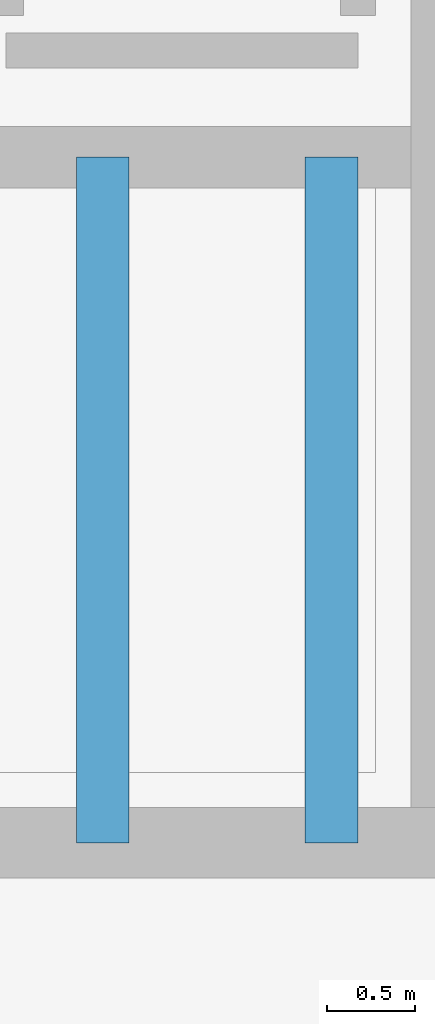
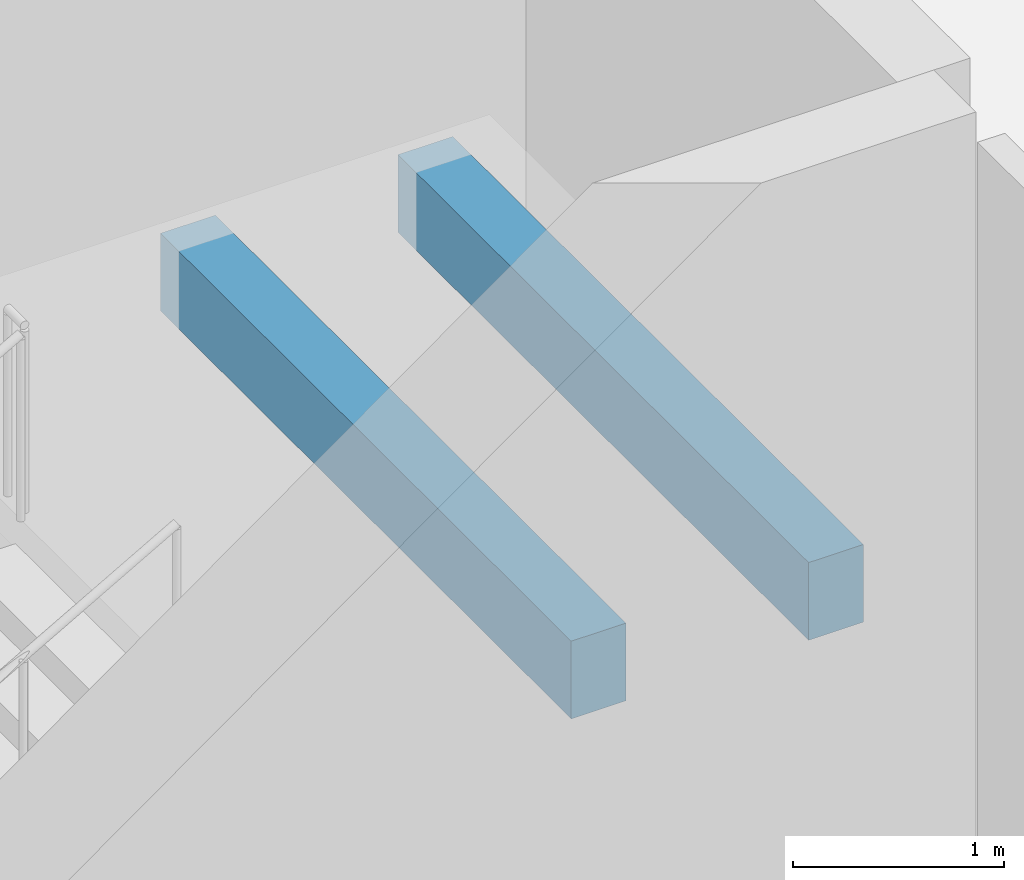
# One storey, part 34 of 94: 2 beams.
"""IFC4 building model written with IfcOpenShell, lengths in metres."""

import ifcopenshell
import ifcopenshell.guid

model = None  # the IFC model being written
_history = None  # IfcOwnerHistory: only IFC2X3 demands one
_inside = {}  # id of a spatial element -> (the spatial element, [elements in it])
_under = {}  # id of a project, library or spatial element -> (it, [spatial elements below it])
_declared = {}  # id of a project -> (the project, [libraries it declares])
_typed = {}  # id of a type object -> (the type object, [elements of that type])
_made_of = {}  # id of a material, layer set ... -> (it, [elements and type objects made of it])


def new_model(schema):
    """Start an empty IFC model of exactly this schema.

    Asked for "IFC4X3", IfcOpenShell would pick the latest addendum, in which some entities
    have other attributes; the version numbers below select the first issue.
    IFC2X3 requires an IfcOwnerHistory on every rooted entity: one is made here for all.
    """
    global model, _history
    if schema == "IFC4X3":
        model = ifcopenshell.file(schema_version=(4, 3, 0, 0))
    else:
        model = ifcopenshell.file(schema=schema)
    _inside.clear()
    _under.clear()
    _declared.clear()
    _typed.clear()
    _made_of.clear()
    _history = None
    if model.schema == "IFC2X3":
        org = make("IfcOrganization", Name="unknown")
        user = make(
            "IfcPersonAndOrganization",
            ThePerson=make("IfcPerson", FamilyName="unknown"),
            TheOrganization=org,
        )
        app = make(
            "IfcApplication",
            ApplicationDeveloper=org,
            Version="unknown",
            ApplicationFullName="unknown",
            ApplicationIdentifier="unknown",
        )
        _history = make(
            "IfcOwnerHistory",
            OwningUser=user,
            OwningApplication=app,
            ChangeAction="ADDED",
            CreationDate=0,
        )
    return model


def make(cls, **values):
    """One entity of the class cls with the attributes given. An attribute that is None is left unset."""
    return model.create_entity(
        cls, **{name: value for name, value in values.items() if value is not None}
    )


def rooted(cls, **values):
    """An entity with a GlobalId (a new one), such as an element, a storey or a relation."""
    return make(cls, GlobalId=ifcopenshell.guid.new(), OwnerHistory=_history, **values)


def si_unit(unit_type, name, prefix=None):
    """IfcSIUnit, for example si_unit("LENGTHUNIT", "METRE", prefix="MILLI")."""
    return make("IfcSIUnit", UnitType=unit_type, Prefix=prefix, Name=name)


def assignment(units):
    """IfcUnitAssignment: the units of a project."""
    return None if units is None else make("IfcUnitAssignment", Units=units)


def point(xyz):
    """IfcCartesianPoint."""
    return None if xyz is None else make("IfcCartesianPoint", Coordinates=xyz)


def direction(xyz):
    """IfcDirection."""
    return None if xyz is None else make("IfcDirection", DirectionRatios=xyz)


def frame(location, z_axis=None, x_axis=None):
    """IfcAxis2Placement3D, a coordinate frame: its origin and axes. An axis left out is left unset."""
    return make(
        "IfcAxis2Placement3D",
        Location=point(location),
        Axis=direction(z_axis),
        RefDirection=direction(x_axis),
    )


def frame_2d(location, x_axis=None):
    """IfcAxis2Placement2D, a coordinate frame in the plane: its origin and x axis."""
    return make(
        "IfcAxis2Placement2D", Location=point(location), RefDirection=direction(x_axis)
    )


def origin():
    """The frame at (0, 0, 0) with its axes left unset."""
    return frame((0.0, 0.0, 0.0))


def origin_2d():
    """The frame at (0, 0) in the plane with its x axis left unset."""
    return frame_2d((0.0, 0.0))


def place(relative_to, where):
    """IfcLocalPlacement: puts the frame where relative to a parent placement (None: the world)."""
    return make(
        "IfcLocalPlacement", PlacementRelTo=relative_to, RelativePlacement=where
    )


def context(
    kind, dimensions, precision=None, world=None, true_north=None, identifier=None
):
    """IfcGeometricRepresentationContext, for example the 3D "Model" context."""
    return make(
        "IfcGeometricRepresentationContext",
        ContextIdentifier=identifier,
        ContextType=kind,
        CoordinateSpaceDimension=dimensions,
        Precision=precision,
        WorldCoordinateSystem=world,
        TrueNorth=true_north,
    )


def subcontext(parent, identifier, kind, view, scale=None):
    """IfcGeometricRepresentationSubContext, for example "Body" below "Model"."""
    return make(
        "IfcGeometricRepresentationSubContext",
        ContextIdentifier=identifier,
        ContextType=kind,
        ParentContext=parent,
        TargetScale=scale,
        TargetView=view,
    )


def project(units=None, contexts=None):
    """IfcProject with its units and contexts."""
    return rooted(
        "IfcProject",
        Name="project",
        RepresentationContexts=contexts,
        UnitsInContext=assignment(units),
    )


def spatial(cls, under=None, at=None, **own):
    """A site, building, storey or space (cls), placed at a placement, below another one or the project."""
    s = rooted(cls, ObjectPlacement=at, **own)
    if under is not None:
        _under.setdefault(under.id(), (under, []))[1].append(s)
    return s


def profile(cls, at=None, kind="AREA", **sizes):
    """A parametric profile (cls). Its sizes go by their IFC names, for example OverallWidth=200.0."""
    return make(cls, ProfileType=kind, Position=at, **sizes)


def rectangle(**sizes):
    """IfcRectangleProfileDef."""
    return profile("IfcRectangleProfileDef", **sizes)


def extrude(swept, where, along, depth):
    """IfcExtrudedAreaSolid: the profile swept, set in the frame where, extruded along a direction by depth."""
    return make(
        "IfcExtrudedAreaSolid",
        SweptArea=swept,
        Position=where,
        ExtrudedDirection=direction(along),
        Depth=depth,
    )


def shape(context_of_items, identifier, shape_type, items):
    """IfcShapeRepresentation: the items that make up one representation, for example the "Body"."""
    return make(
        "IfcShapeRepresentation",
        ContextOfItems=context_of_items,
        RepresentationIdentifier=identifier,
        RepresentationType=shape_type,
        Items=items,
    )


def material(Name=None, Category=None):
    """IfcMaterial."""
    return make("IfcMaterial", Name=Name, Category=Category)


def material_profile(
    of_material, cross_section, Name=None, Category=None, Priority=None
):
    """IfcMaterialProfile: a cross section and its material."""
    return make(
        "IfcMaterialProfile",
        Name=Name,
        Material=of_material,
        Profile=cross_section,
        Priority=Priority,
        Category=Category,
    )


def profile_set(profiles, Name=None, composite=None):
    """IfcMaterialProfileSet."""
    return make(
        "IfcMaterialProfileSet",
        Name=Name,
        MaterialProfiles=profiles,
        CompositeProfile=composite,
    )


def made_of(thing, what):
    """Note that an element or type object is made of a material, layer set ...; save() writes the relation."""
    if what is not None:
        _made_of.setdefault(what.id(), (what, []))[1].append(thing)
    return thing


def type_object(cls, material=None, **own):
    """A type object (cls), such as IfcWallType, which elements share."""
    return made_of(rooted(cls, **own), material)


def element(
    cls,
    number,
    at=None,
    inside=None,
    cuts=None,
    type_object=None,
    material=None,
    context=None,
    identifier="Body",
    shape_type=None,
    held_by="IfcProductDefinitionShape",
    body=None,
    shapes=None,
    **own,
):
    """One element of the class cls, such as IfcWall. Its Tag is "e" and its number.

    at: its placement. inside: the storey or other place that contains it. cuts: it is an
    opening in that element (IfcRelVoidsElement). A single representation is given by context,
    identifier, shape_type and body (its items); several are given by shapes. held_by: the class
    of the entity that holds the representations. save() writes the other relations.
    """
    e = rooted(cls, Tag="e%d" % number, ObjectPlacement=at, **own)
    if body is not None:
        shapes = [shape(context, identifier, shape_type, body)]
    if shapes is not None:
        e.Representation = make(held_by, Representations=shapes)
    if inside is not None:
        _inside.setdefault(inside.id(), (inside, []))[1].append(e)
    if cuts is not None:
        rooted(
            "IfcRelVoidsElement", RelatingBuildingElement=cuts, RelatedOpeningElement=e
        )
    if type_object is not None:
        _typed.setdefault(type_object.id(), (type_object, []))[1].append(e)
    return made_of(e, material)


def aggregate(whole, parts):
    """IfcRelAggregates: a whole, such as a stair, and the parts it consists of."""
    return rooted("IfcRelAggregates", RelatingObject=whole, RelatedObjects=parts)


def save(model, path):
    """Write the relations noted so far, then the file.

    IfcRelAggregates (storeys below a building ...), IfcRelContainedInSpatialStructure (elements
    in a storey), IfcRelDefinesByType, IfcRelAssociatesMaterial and IfcRelDeclares: one each for
    every whole, place, type object, material and project.
    """
    for whole, parts in _under.values():
        aggregate(whole, parts)
    for where, things in _inside.values():
        rooted(
            "IfcRelContainedInSpatialStructure",
            RelatedElements=things,
            RelatingStructure=where,
        )
    for kind, things in _typed.values():
        rooted("IfcRelDefinesByType", RelatedObjects=things, RelatingType=kind)
    for what, things in _made_of.values():
        rooted("IfcRelAssociatesMaterial", RelatedObjects=things, RelatingMaterial=what)
    for by, libraries in _declared.values():
        rooted("IfcRelDeclares", RelatingContext=by, RelatedDefinitions=libraries)
    model.write(path)


model = new_model("IFC4")

# Units and contexts
model_context = context("Model", 3, precision=1e-05, world=origin(), true_north=direction((0.0, 1.0)))
body_context = subcontext(model_context, "Body", "Model", "MODEL_VIEW")
ifc_project = project(units=[si_unit("LENGTHUNIT", "METRE"), si_unit("AREAUNIT", "SQUARE_METRE"), si_unit("VOLUMEUNIT", "CUBIC_METRE"), si_unit("PLANEANGLEUNIT", "RADIAN"), si_unit("MASSUNIT", "GRAM", prefix="KILO")], contexts=[model_context])

# Site, building, storey
site_placement = place(None, origin())
site = spatial("IfcSite", under=ifc_project, at=site_placement, CompositionType="ELEMENT")
building_placement = place(site_placement, origin())
building = spatial("IfcBuilding", under=site, at=building_placement, Name="Vervanel Yard Central Library", CompositionType="ELEMENT")
storey_placement = place(building_placement, origin())
storey = spatial("IfcBuildingStorey", under=building, at=storey_placement, Name="L00", CompositionType="ELEMENT", Elevation=0.0)

# Beams
ifc_material = material(Name="Concrete C40/50", Category="concrete")
ifc_material_profile = material_profile(ifc_material, rectangle(XDim=0.300048828125, YDim=0.449951171875, at=origin_2d()), Name="RC 300x450", Category="concrete")
ifc_profile_set = profile_set([ifc_material_profile], Name="Concrete C40/50")
beam_type = type_object("IfcBeamType", Name="Concrete Opening Lintel 300x450", PredefinedType="LINTEL", material=ifc_profile_set)
for number, where, z_axis, x_axis, name in (
    (1, (8.449951171875, 56.0, 2.125), (0.0, 1.0, 0.0), (-1.0, 0.0, 0.0), "L00 CORE-C Stair Landing Beam 21"),
    (2, (9.75, 56.0, 2.125), (0.0, 1.0, 0.0), (-1.0, 0.0, 0.0), "L00 CORE-C Stair Landing Beam 22"),
):
    element("IfcBeam", number, at=place(storey_placement, frame(where, z_axis=z_axis, x_axis=x_axis)), inside=storey, type_object=beam_type, Name=name, PredefinedType="LINTEL", context=body_context, shape_type="SweptSolid", body=[
        extrude(rectangle(XDim=0.300048828125, YDim=0.449951171875, at=origin_2d()), origin(), (0.0, 0.0, 1.0), 3.89501953125),
    ])

save(model, "model.ifc")
